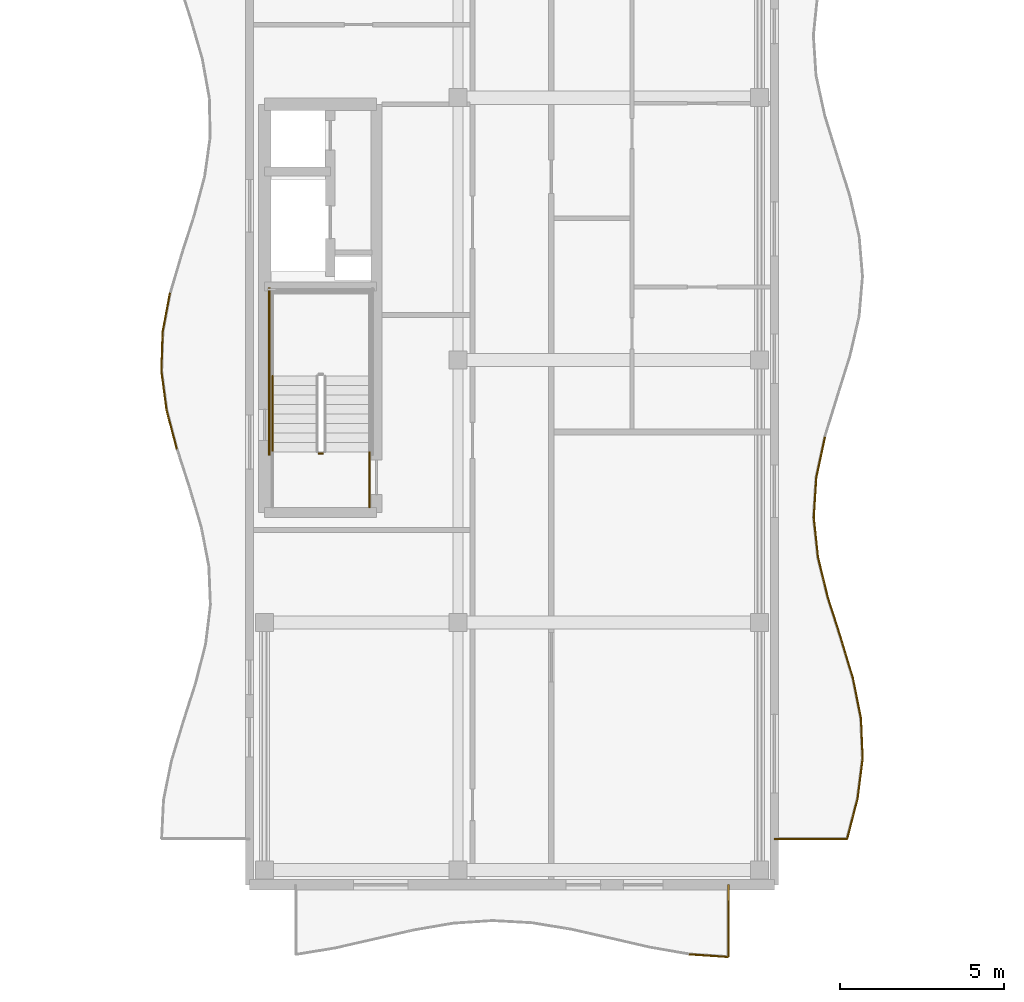
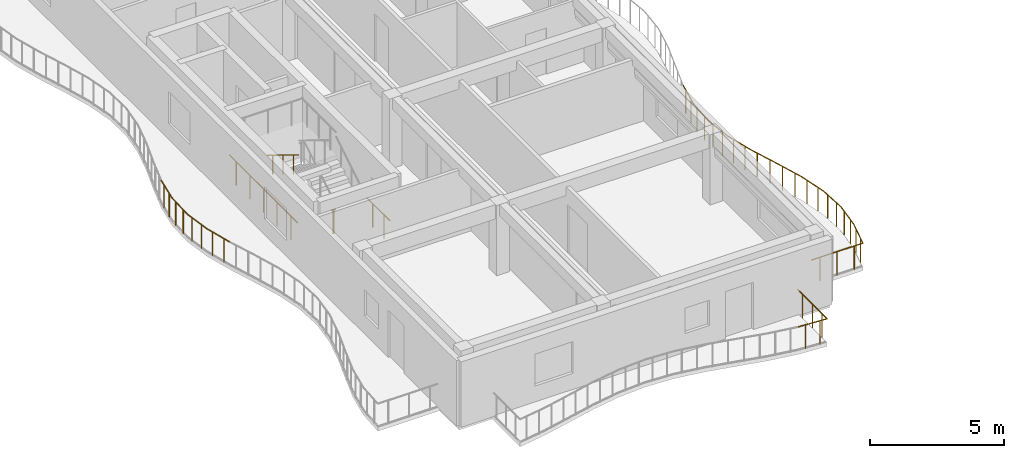
# One storey, part 54 of 68: 21 railings.
"""IFC4 building model written with IfcOpenShell, lengths in metres."""

from ifc_helpers import new_model, si_unit, direction, frame, origin, origin_2d, place, context, subcontext, project, spatial, circle, extrude, material, type_object, element, save


model = new_model("IFC4")

# Units and contexts
model_context = context("Model", 3, precision=1e-05, world=origin(), true_north=direction((0.0, 1.0)))
body_context = subcontext(model_context, "Body", "Model", "MODEL_VIEW")
ifc_project = project(units=[si_unit("LENGTHUNIT", "METRE"), si_unit("AREAUNIT", "SQUARE_METRE"), si_unit("VOLUMEUNIT", "CUBIC_METRE"), si_unit("PLANEANGLEUNIT", "RADIAN"), si_unit("MASSUNIT", "GRAM", prefix="KILO")], contexts=[model_context])

# Site, building, storey
site_placement = place(None, origin())
site = spatial("IfcSite", under=ifc_project, at=site_placement, CompositionType="ELEMENT")
building_placement = place(site_placement, origin())
building = spatial("IfcBuilding", under=site, at=building_placement, Name="Keldmere Railside Commons", CompositionType="ELEMENT")
storey_placement = place(building_placement, frame((0.0, 0.0, 23.360107421875)))
storey = spatial("IfcBuildingStorey", under=building, at=storey_placement, Name="L07", CompositionType="ELEMENT", Elevation=23.360107421875)

# Railings
ifc_material = material(Name="Steel F-24 (S235)", Category="steel")
railing_type_1 = type_object("IfcRailingType", Name="Balcony & Terrace Steel Balustrade 1100", PredefinedType="BALUSTRADE", material=ifc_material)
railing_1_placement = place(storey_placement, frame((120.0, 57.39990234375, 0.0)))
element("IfcRailing", 1, at=railing_1_placement, inside=storey, type_object=railing_type_1, Name="GR-1 GRD-L07-2667", PredefinedType="BALUSTRADE", context=body_context, shape_type="SweptSolid", body=[
    extrude(circle(Radius=0.02392578125, at=origin_2d()), frame((0.0, 0.0, 1.076171875), z_axis=(1.0, 0.0, 0.0), x_axis=(0.0, 1.0, 0.0)), (0.0, 0.0, 1.0), 2.218994140625),
    extrude(circle(Radius=0.02099609375, at=origin_2d()), frame((0.369873046875, 0.0, 0.0)), (0.0, 0.0, 1.0), 1.048095703125),
    extrude(circle(Radius=0.02099609375, at=origin_2d()), frame((1.109375, 0.0, 0.0)), (0.0, 0.0, 1.0), 1.048095703125),
    extrude(circle(Radius=0.02099609375, at=origin_2d()), frame((1.84912109375, 0.0, 0.0)), (0.0, 0.0, 1.0), 1.048095703125),
])
railing_2_placement = place(storey_placement, frame((122.218994140625, 57.39990234375, 0.0)))
element("IfcRailing", 2, at=railing_2_placement, inside=storey, type_object=railing_type_1, Name="GR-1 GRD-L07-2668", PredefinedType="BALUSTRADE", context=body_context, shape_type="SweptSolid", body=[
    extrude(circle(Radius=0.02392578125, at=origin_2d()), frame((0.0, 0.0, 1.076171875), z_axis=(0.25205290683, 0.967713455605, 0.0), x_axis=(-0.967713455605, 0.25205290683, 0.0)), (0.0, 0.0, 1.0), 1.265869140625),
    extrude(circle(Radius=0.02099609375, at=origin_2d()), frame((0.079833984375, 0.30615234375, 0.0)), (0.0, 0.0, 1.0), 1.048095703125),
    extrude(circle(Radius=0.02099609375, at=origin_2d()), frame((0.2392578125, 0.9189453125, 0.0)), (0.0, 0.0, 1.0), 1.048095703125),
])
railing_3_placement = place(storey_placement, frame((122.5380859375, 58.625, 0.0)))
element("IfcRailing", 3, at=railing_3_placement, inside=storey, type_object=railing_type_1, Name="GR-1 GRD-L07-2669", PredefinedType="BALUSTRADE", context=body_context, shape_type="SweptSolid", body=[
    extrude(circle(Radius=0.02392578125, at=origin_2d()), frame((0.0, 0.0, 1.076171875), z_axis=(0.125543239242, 0.992088148846, 0.0), x_axis=(-0.992088148846, 0.125543239242, 0.0)), (0.0, 0.0, 1.0), 1.23486328125),
    extrude(circle(Radius=0.02099609375, at=origin_2d()), frame((0.038818359375, 0.30615234375, 0.0)), (0.0, 0.0, 1.0), 1.048095703125),
    extrude(circle(Radius=0.02099609375, at=origin_2d()), frame((0.1162109375, 0.9189453125, 0.0)), (0.0, 0.0, 1.0), 1.048095703125),
])
railing_4_placement = place(storey_placement, frame((122.693115234375, 59.85009765625, 0.0)))
element("IfcRailing", 4, at=railing_4_placement, inside=storey, type_object=railing_type_1, Name="GR-1 GRD-L07-2670", PredefinedType="BALUSTRADE", context=body_context, shape_type="SweptSolid", body=[
    extrude(circle(Radius=0.02392578125, at=origin_2d()), frame((0.0, 0.0, 1.076171875), z_axis=(-0.042616221737, 0.999091516151, 0.0), x_axis=(-0.999091516151, -0.042616221737, 0.0)), (0.0, 0.0, 1.0), 1.22607421875),
    extrude(circle(Radius=0.02099609375, at=origin_2d()), frame((-0.01318359375, 0.30615234375, 0.0)), (0.0, 0.0, 1.0), 1.048095703125),
    extrude(circle(Radius=0.02099609375, at=origin_2d()), frame((-0.0390625, 0.918701171875, 0.0)), (0.0, 0.0, 1.0), 1.048095703125),
])
railing_5_placement = place(storey_placement, frame((122.640869140625, 61.074951171875, 0.0)))
element("IfcRailing", 5, at=railing_5_placement, inside=storey, type_object=railing_type_1, Name="GR-1 GRD-L07-2671", PredefinedType="BALUSTRADE", context=body_context, shape_type="SweptSolid", body=[
    extrude(circle(Radius=0.02392578125, at=origin_2d()), frame((0.0, 0.0, 1.076171875), z_axis=(-0.196003393183, 0.980603217342, 0.0), x_axis=(-0.980603217342, -0.196003393183, 0.0)), (0.0, 0.0, 1.0), 1.249267578125),
    extrude(circle(Radius=0.02099609375, at=origin_2d()), frame((-0.061279296875, 0.30615234375, 0.0)), (0.0, 0.0, 1.0), 1.048095703125),
    extrude(circle(Radius=0.02099609375, at=origin_2d()), frame((-0.18359375, 0.9189453125, 0.0)), (0.0, 0.0, 1.0), 1.048095703125),
])
railing_6_placement = place(storey_placement, frame((122.39599609375, 62.300048828125, 0.0)))
element("IfcRailing", 6, at=railing_6_placement, inside=storey, type_object=railing_type_1, Name="GR-1 GRD-L07-2672", PredefinedType="BALUSTRADE", context=body_context, shape_type="SweptSolid", body=[
    extrude(circle(Radius=0.02392578125, at=origin_2d()), frame((0.0, 0.0, 1.076171875), z_axis=(-0.288730689271, 0.957410355633, 0.0), x_axis=(-0.957410355633, -0.288730689271, 0.0)), (0.0, 0.0, 1.0), 1.279296875),
    extrude(circle(Radius=0.02099609375, at=origin_2d()), frame((-0.09228515625, 0.30615234375, 0.0)), (0.0, 0.0, 1.0), 1.048095703125),
    extrude(circle(Radius=0.02099609375, at=origin_2d()), frame((-0.277099609375, 0.918701171875, 0.0)), (0.0, 0.0, 1.0), 1.048095703125),
])
railing_7_placement = place(storey_placement, frame((122.026611328125, 63.52490234375, 0.0)))
element("IfcRailing", 7, at=railing_7_placement, inside=storey, type_object=railing_type_1, Name="GR-1 GRD-L07-2673", PredefinedType="BALUSTRADE", context=body_context, shape_type="SweptSolid", body=[
    extrude(circle(Radius=0.02392578125, at=origin_2d()), frame((0.0, 0.0, 1.076171875), z_axis=(-0.303955853825, 0.952686117735, 0.0), x_axis=(-0.952686117735, -0.303955853825, 0.0)), (0.0, 0.0, 1.0), 1.285888671875),
    extrude(circle(Radius=0.02099609375, at=origin_2d()), frame((-0.09765625, 0.30615234375, 0.0)), (0.0, 0.0, 1.0), 1.048095703125),
    extrude(circle(Radius=0.02099609375, at=origin_2d()), frame((-0.293212890625, 0.9189453125, 0.0)), (0.0, 0.0, 1.0), 1.048095703125),
])
railing_8_placement = place(storey_placement, frame((121.6357421875, 64.75, 0.0)))
element("IfcRailing", 8, at=railing_8_placement, inside=storey, type_object=railing_type_1, Name="GR-1 GRD-L07-2674", PredefinedType="BALUSTRADE", context=body_context, shape_type="SweptSolid", body=[
    extrude(circle(Radius=0.02392578125, at=origin_2d()), frame((0.0, 0.0, 1.076171875), z_axis=(-0.240076838456, 0.970753888294, 0.0), x_axis=(-0.970753888294, -0.240076838456, 0.0)), (0.0, 0.0, 1.0), 1.261962890625),
    extrude(circle(Radius=0.02099609375, at=origin_2d()), frame((-0.07568359375, 0.30615234375, 0.0)), (0.0, 0.0, 1.0), 1.048095703125),
    extrude(circle(Radius=0.02099609375, at=origin_2d()), frame((-0.227294921875, 0.9189453125, 0.0)), (0.0, 0.0, 1.0), 1.048095703125),
])
railing_9_placement = place(storey_placement, frame((121.332763671875, 65.97509765625, 0.0)))
element("IfcRailing", 9, at=railing_9_placement, inside=storey, type_object=railing_type_1, Name="GR-1 GRD-L07-2675", PredefinedType="BALUSTRADE", context=body_context, shape_type="SweptSolid", body=[
    extrude(circle(Radius=0.02392578125, at=origin_2d()), frame((0.0, 0.0, 1.076171875), z_axis=(-0.106232203159, 0.994341349342, 0.0), x_axis=(-0.994341349342, -0.106232203159, 0.0)), (0.0, 0.0, 1.0), 1.23193359375),
    extrude(circle(Radius=0.02099609375, at=origin_2d()), frame((-0.03271484375, 0.30615234375, 0.0)), (0.0, 0.0, 1.0), 1.048095703125),
    extrude(circle(Radius=0.02099609375, at=origin_2d()), frame((-0.09814453125, 0.918701171875, 0.0)), (0.0, 0.0, 1.0), 1.048095703125),
])
railing_10_placement = place(storey_placement, frame((121.201904296875, 67.199951171875, 0.0)))
element("IfcRailing", 10, at=railing_10_placement, inside=storey, type_object=railing_type_1, Name="GR-1 GRD-L07-2676", PredefinedType="BALUSTRADE", context=body_context, shape_type="SweptSolid", body=[
    extrude(circle(Radius=0.02392578125, at=origin_2d()), frame((0.0, 0.0, 1.076171875), z_axis=(0.063244992829, 0.997998031502, 0.0), x_axis=(-0.997998031502, 0.063244992829, 0.0)), (0.0, 0.0, 1.0), 1.2275390625),
    extrude(circle(Radius=0.02099609375, at=origin_2d()), frame((0.01953125, 0.30615234375, 0.0)), (0.0, 0.0, 1.0), 1.048095703125),
    extrude(circle(Radius=0.02099609375, at=origin_2d()), frame((0.05810546875, 0.9189453125, 0.0)), (0.0, 0.0, 1.0), 1.048095703125),
])
railing_11_placement = place(storey_placement, frame((121.279541015625, 68.425048828125, 0.0)))
element("IfcRailing", 11, at=railing_11_placement, inside=storey, type_object=railing_type_1, Name="GR-1 GRD-L07-2677", PredefinedType="BALUSTRADE", context=body_context, shape_type="SweptSolid", body=[
    extrude(circle(Radius=0.02392578125, at=origin_2d()), frame((0.0, 0.0, 1.076171875), z_axis=(0.211378064149, 0.977404375884, 0.0), x_axis=(-0.977404375884, 0.211378064149, 0.0)), (0.0, 0.0, 1.0), 1.253173828125),
    extrude(circle(Radius=0.02099609375, at=origin_2d()), frame((0.066162109375, 0.30615234375, 0.0)), (0.0, 0.0, 1.0), 1.048095703125),
    extrude(circle(Radius=0.02099609375, at=origin_2d()), frame((0.19873046875, 0.918701171875, 0.0)), (0.0, 0.0, 1.0), 1.048095703125),
])
railing_12_placement = place(storey_placement, frame((101.778076171875, 69.288818359375, 0.0)))
element("IfcRailing", 12, at=railing_12_placement, inside=storey, type_object=railing_type_1, Name="GR-1 GRD-L07-2704", PredefinedType="BALUSTRADE", context=body_context, shape_type="SweptSolid", body=[
    extrude(circle(Radius=0.02392578125, at=origin_2d()), frame((0.0, 0.0, 1.076171875), z_axis=(-0.252899011183, 0.967492682217, 0.0), x_axis=(-0.967492682217, -0.252899011183, 0.0)), (0.0, 0.0, 1.0), 1.22900390625),
    extrude(circle(Radius=0.02099609375, at=origin_2d()), frame((-0.07763671875, 0.29736328125, 0.0)), (0.0, 0.0, 1.0), 1.048095703125),
    extrude(circle(Radius=0.02099609375, at=origin_2d()), frame((-0.233154296875, 0.8916015625, 0.0)), (0.0, 0.0, 1.0), 1.048095703125),
])
railing_13_placement = place(storey_placement, frame((101.46728515625, 70.477783203125, 0.0)))
element("IfcRailing", 13, at=railing_13_placement, inside=storey, type_object=railing_type_1, Name="GR-1 GRD-L07-2705", PredefinedType="BALUSTRADE", context=body_context, shape_type="SweptSolid", body=[
    extrude(circle(Radius=0.02392578125, at=origin_2d()), frame((0.0, 0.0, 1.076171875), z_axis=(-0.13129697884, 0.991343080546, 0.0), x_axis=(-0.991343080546, -0.13129697884, 0.0)), (0.0, 0.0, 1.0), 1.199462890625),
    extrude(circle(Radius=0.02099609375, at=origin_2d()), frame((-0.039306640625, 0.29736328125, 0.0)), (0.0, 0.0, 1.0), 1.048095703125),
    extrude(circle(Radius=0.02099609375, at=origin_2d()), frame((-0.1181640625, 0.8916015625, 0.0)), (0.0, 0.0, 1.0), 1.048095703125),
])
railing_14_placement = place(storey_placement, frame((101.309814453125, 71.666748046875, 0.0)))
element("IfcRailing", 14, at=railing_14_placement, inside=storey, type_object=railing_type_1, Name="GR-1 GRD-L07-2706", PredefinedType="BALUSTRADE", context=body_context, shape_type="SweptSolid", body=[
    extrude(circle(Radius=0.02392578125, at=origin_2d()), frame((0.0, 0.0, 1.076171875), z_axis=(0.031401344763, 0.999506856178, 0.0), x_axis=(-0.999506856178, 0.031401344763, 0.0)), (0.0, 0.0, 1.0), 1.189453125),
    extrude(circle(Radius=0.02099609375, at=origin_2d()), frame((0.00927734375, 0.29736328125, 0.0)), (0.0, 0.0, 1.0), 1.048095703125),
    extrude(circle(Radius=0.02099609375, at=origin_2d()), frame((0.028076171875, 0.8916015625, 0.0)), (0.0, 0.0, 1.0), 1.048095703125),
])
railing_15_placement = place(storey_placement, frame((101.34716796875, 72.855712890625, 0.0)))
element("IfcRailing", 15, at=railing_15_placement, inside=storey, type_object=railing_type_1, Name="GR-1 GRD-L07-2707", PredefinedType="BALUSTRADE", context=body_context, shape_type="SweptSolid", body=[
    extrude(circle(Radius=0.02392578125, at=origin_2d()), frame((0.0, 0.0, 1.076171875), z_axis=(0.183715606642, 0.982979438176, 0.0), x_axis=(-0.982979438176, 0.183715606642, 0.0)), (0.0, 0.0, 1.0), 1.209228515625),
    extrude(circle(Radius=0.02099609375, at=origin_2d()), frame((0.0556640625, 0.297119140625, 0.0)), (0.0, 0.0, 1.0), 1.048095703125),
    extrude(circle(Radius=0.02099609375, at=origin_2d()), frame((0.16650390625, 0.8916015625, 0.0)), (0.0, 0.0, 1.0), 1.048095703125),
])
railing_16_placement = place(storey_placement, frame((117.39990234375, 53.881591796875, 0.0)))
element("IfcRailing", 16, at=railing_16_placement, inside=storey, type_object=railing_type_1, Name="GR-1 GRD-L07-2759", PredefinedType="BALUSTRADE", context=body_context, shape_type="SweptSolid", body=[
    extrude(circle(Radius=0.02392578125, at=origin_2d()), frame((0.0, 0.0, 1.076171875), z_axis=(0.997713646876, -0.067583125388, 0.0), x_axis=(0.067583125388, 0.997713646876, 0.0)), (0.0, 0.0, 1.0), 1.202880859375),
    extrude(circle(Radius=0.02099609375, at=origin_2d()), frame((0.300048828125, -0.020263671875, 0.0)), (0.0, 0.0, 1.0), 1.048095703125),
    extrude(circle(Radius=0.02099609375, at=origin_2d()), frame((0.900146484375, -0.06103515625, 0.0)), (0.0, 0.0, 1.0), 1.048095703125),
])
railing_17_placement = place(storey_placement, frame((118.60009765625, 53.80029296875, 0.0)))
element("IfcRailing", 17, at=railing_17_placement, inside=storey, type_object=railing_type_1, Name="GR-1 GRD-L07-2760", PredefinedType="BALUSTRADE", context=body_context, shape_type="SweptSolid", body=[
    extrude(circle(Radius=0.02392578125, at=origin_2d()), frame((0.0, 0.0, 1.076171875), z_axis=(0.0, 1.0, 0.0), x_axis=(-1.0, 0.0, 0.0)), (0.0, 0.0, 1.0), 2.19970703125),
    extrude(circle(Radius=0.02099609375, at=origin_2d()), frame((0.0, 0.36669921875, 0.0)), (0.0, 0.0, 1.0), 1.048095703125),
    extrude(circle(Radius=0.02099609375, at=origin_2d()), frame((0.0, 1.099853515625, 0.0)), (0.0, 0.0, 1.0), 1.048095703125),
    extrude(circle(Radius=0.02099609375, at=origin_2d()), frame((0.0, 1.8330078125, 0.0)), (0.0, 0.0, 1.0), 1.048095703125),
])
railing_type_2 = type_object("IfcRailingType", Name="Stair Well Steel Guardrail 1100", PredefinedType="BALUSTRADE", material=ifc_material)
railing_18_placement = place(storey_placement, frame((106.25, 69.14990234375, 0.0)))
element("IfcRailing", 18, at=railing_18_placement, inside=storey, type_object=railing_type_2, Name="L07 ST-B1 stair guard 7", PredefinedType="BALUSTRADE", context=body_context, shape_type="SweptSolid", body=[
    extrude(circle(Radius=0.02392578125, at=origin_2d()), frame((0.0, 0.0, 1.076171875), z_axis=(-1.0, 0.0, 0.0), x_axis=(0.0, -1.0, 0.0)), (0.0, 0.0, 1.0), 0.14990234375),
    extrude(circle(Radius=0.02099609375, at=origin_2d()), frame((-0.074951171875, 0.0, 0.0)), (0.0, 0.0, 1.0), 1.048095703125),
])
railing_19_placement = place(storey_placement, frame((107.64990234375, 67.5, 0.0)))
element("IfcRailing", 19, at=railing_19_placement, inside=storey, type_object=railing_type_2, Name="L07 ST-B1 stair guard 8", PredefinedType="BALUSTRADE", context=body_context, shape_type="SweptSolid", body=[
    extrude(circle(Radius=0.02392578125, at=origin_2d()), frame((0.0, 0.0, 1.076171875), z_axis=(0.0, 1.0, 0.0), x_axis=(-1.0, 0.0, 0.0)), (0.0, 0.0, 1.0), 1.699951171875),
    extrude(circle(Radius=0.02099609375, at=origin_2d()), frame((0.0, 0.425048828125, 0.0)), (0.0, 0.0, 1.0), 1.048095703125),
    extrude(circle(Radius=0.02099609375, at=origin_2d()), frame((0.0, 1.27490234375, 0.0)), (0.0, 0.0, 1.0), 1.048095703125),
])
railing_20_placement = place(storey_placement, frame((104.60009765625, 69.10009765625, 0.0)))
element("IfcRailing", 20, at=railing_20_placement, inside=storey, type_object=railing_type_2, Name="L07 ST-B1 stair guard 11", PredefinedType="BALUSTRADE", context=body_context, shape_type="SweptSolid", body=[
    extrude(circle(Radius=0.02392578125, at=origin_2d()), frame((0.0, 0.0, 1.076171875), z_axis=(0.0, 1.0, 0.0), x_axis=(-1.0, 0.0, 0.0)), (0.0, 0.0, 1.0), 5.099853515625),
    extrude(circle(Radius=0.02099609375, at=origin_2d()), frame((0.0, 0.510009765625, 0.0)), (0.0, 0.0, 1.0), 1.048095703125),
    extrude(circle(Radius=0.02099609375, at=origin_2d()), frame((0.0, 1.530029296875, 0.0)), (0.0, 0.0, 1.0), 1.048095703125),
    extrude(circle(Radius=0.02099609375, at=origin_2d()), frame((0.0, 2.5498046875, 0.0)), (0.0, 0.0, 1.0), 1.048095703125),
    extrude(circle(Radius=0.02099609375, at=origin_2d()), frame((0.0, 3.56982421875, 0.0)), (0.0, 0.0, 1.0), 1.048095703125),
    extrude(circle(Radius=0.02099609375, at=origin_2d()), frame((0.0, 4.58984375, 0.0)), (0.0, 0.0, 1.0), 1.048095703125),
])
railing_type_3 = type_object("IfcRailingType", Name="Wall-Mounted Tubular Steel Handrail 900", PredefinedType="HANDRAIL", material=ifc_material)
railing_21_placement = place(storey_placement, frame((104.699951171875, 71.52001953125, 1.777587890625)))
element("IfcRailing", 21, at=railing_21_placement, inside=storey, type_object=railing_type_3, Name="L07 ST-B1 stair handrail 2", PredefinedType="HANDRAIL", context=body_context, shape_type="SweptSolid", body=[
    extrude(circle(Radius=0.02392578125, at=origin_2d()), frame((0.0, 0.0, 0.8759765625), z_axis=(0.0, -0.852538067394, 0.522665135287), x_axis=(1.0, 0.0, 0.0)), (0.0, 0.0, 1.0), 2.721435546875),
    extrude(circle(Radius=0.02099609375, at=origin_2d()), frame((0.0, -0.38671875, 0.237060546875)), (0.0, 0.0, 1.0), 0.847900390625),
    extrude(circle(Radius=0.02099609375, at=origin_2d()), frame((0.0, -1.16015625, 0.711181640625)), (0.0, 0.0, 1.0), 0.847900390625),
    extrude(circle(Radius=0.02099609375, at=origin_2d()), frame((0.0, -1.933349609375, 1.185302734375)), (0.0, 0.0, 1.0), 0.847900390625),
])

save(model, "model.ifc")
